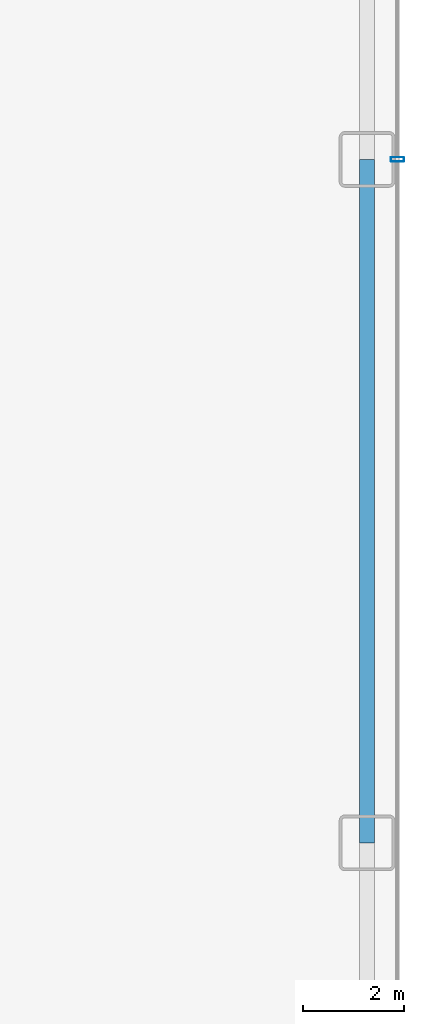
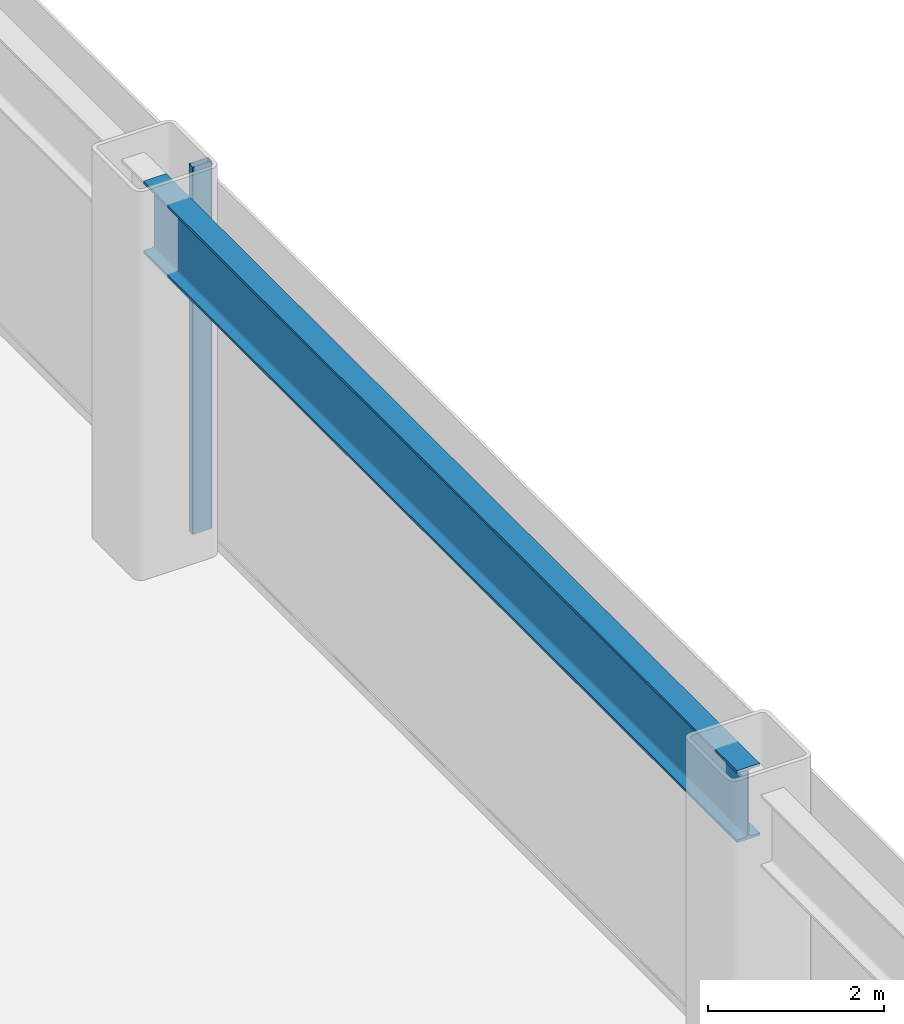
# One storey, part 13 of 24: 1 beam, 1 member, 1 element without a shape of its own.
"""IFC4 building model written with IfcOpenShell, lengths in metres."""

from ifc_helpers import new_model, si_unit, direction, frame, origin, origin_2d, place, context, subcontext, project, spatial, hollow_rectangle, i_section, extrude, source, transform, mapped, material, layer, layer_set, material_profile, profile_set, type_object, element, aggregate, save


model = new_model("IFC4")

# Units and contexts
model_context = context("Model", 3, precision=1e-05, world=origin(), true_north=direction((0.0, 1.0)))
body_context = subcontext(model_context, "Body", "Model", "MODEL_VIEW")
ifc_project = project(units=[si_unit("LENGTHUNIT", "METRE"), si_unit("AREAUNIT", "SQUARE_METRE"), si_unit("VOLUMEUNIT", "CUBIC_METRE"), si_unit("PLANEANGLEUNIT", "RADIAN"), si_unit("MASSUNIT", "GRAM", prefix="KILO")], contexts=[model_context])

# Site, building, storey
site_placement = place(None, origin())
site = spatial("IfcSite", under=ifc_project, at=site_placement, CompositionType="ELEMENT")
building_placement = place(site_placement, origin())
building = spatial("IfcBuilding", under=site, at=building_placement, Name="Nefas-Gora Pilgrimage Tower", CompositionType="ELEMENT")
storey_placement = place(building_placement, frame((0.0, 0.0, 11.39990234375)))
storey = spatial("IfcBuildingStorey", under=building, at=storey_placement, Name="L02", CompositionType="ELEMENT", Elevation=11.39990234375)

# Beam
ifc_material_1 = material(Name="Steel S460", Category="steel")
ifc_material_profile_1 = material_profile(ifc_material_1, i_section(OverallWidth=0.300048828125, OverallDepth=1.0, WebThickness=0.01904296875, FlangeThickness=0.035888671875, FilletRadius=0.030029296875, at=origin_2d()), Name="HEB 1000")
ifc_profile_set_1 = profile_set([ifc_material_profile_1], Name="Steel S460")
beam_type = type_object("IfcBeamType", Name="BM-POD-HEB1000E", PredefinedType="BEAM", material=ifc_profile_set_1)
shared_shape_1 = source(origin(), body_context, "Body", "SweptSolid", [
    extrude(i_section(OverallWidth=0.300048828125, OverallDepth=1.0, WebThickness=0.01904296875, FlangeThickness=0.035888671875, FilletRadius=0.030029296875, at=origin_2d()), origin(), (0.0, 0.0, 1.0), 13.5),
])
beam_placement = place(storey_placement, frame((37.64990234375, -13.5, 4.60009765625), z_axis=(0.0, 1.0, 0.0), x_axis=(-1.0, 0.0, 0.0)))
element("IfcBeam", 1, at=beam_placement, inside=storey, type_object=beam_type, Name="L02 PG-01E beam", PredefinedType="BEAM", context=body_context, shape_type="MappedRepresentation", body=[
    mapped(shared_shape_1, transform((0.0, 0.0, 0.0), x_axis=(1.0, 0.0, 0.0), y_axis=(0.0, 1.0, 0.0), z_axis=(0.0, 0.0, 1.0), scale=1.0)),
])

# Curtain wall, member
ifc_material_2 = material(Name="Dark ceramic-fritted solar-control aluminium-glass curtain wall", Category="aluminium")
ifc_layer = layer(ifc_material_2, 0.219970703125)
ifc_layer_set = layer_set([ifc_layer], Name="Dark ceramic-fritted solar-control aluminium-glass curtain wall")
curtain_wall_type = type_object("IfcCurtainWallType", Name="CW-SYS-1", PredefinedType="NOTDEFINED", material=ifc_layer_set)
curtain_wall_placement = place(storey_placement, origin())
curtain_wall = element("IfcCurtainWall", 2, at=curtain_wall_placement, inside=storey, type_object=curtain_wall_type, Name="L02 Unitised Curtain Wall CW1", PredefinedType="NOTDEFINED")
ifc_material_3 = material(Name="Anodised architectural aluminium", Category="aluminium")
ifc_material_profile_2 = material_profile(ifc_material_3, hollow_rectangle(XDim=0.090087890625, YDim=0.260009765625, WallThickness=0.006103515625, InnerFilletRadius=0.006103515625, OuterFilletRadius=0.011962890625, at=origin_2d()), Name="ALU MULLION 90x260")
ifc_profile_set_2 = profile_set([ifc_material_profile_2], Name="Anodised architectural aluminium")
member_type = type_object("IfcMemberType", Name="CWM-MUL-1", PredefinedType="MULLION", material=ifc_profile_set_2)
shared_shape_2 = source(origin(), body_context, "Body", "SweptSolid", [
    extrude(hollow_rectangle(XDim=0.090087890625, YDim=0.260009765625, WallThickness=0.006103515625, InnerFilletRadius=0.006103515625, OuterFilletRadius=0.011962890625, at=origin_2d()), origin(), (0.0, 0.0, 1.0), 5.10009765625),
])
member_placement = place(storey_placement, frame((38.25, 0.0, 0.0), z_axis=(0.0, 0.0, 1.0), x_axis=(0.0, 1.0, 0.0)))
member = element("IfcMember", 3, at=member_placement, type_object=member_type, Name="CW1 Mullion 2", PredefinedType="MULLION", context=body_context, shape_type="MappedRepresentation", body=[
    mapped(shared_shape_2, transform((0.0, 0.0, 0.0), x_axis=(1.0, 0.0, 0.0), y_axis=(0.0, 1.0, 0.0), z_axis=(0.0, 0.0, 1.0), scale=1.0)),
])
aggregate(curtain_wall, [member])

save(model, "model.ifc")
